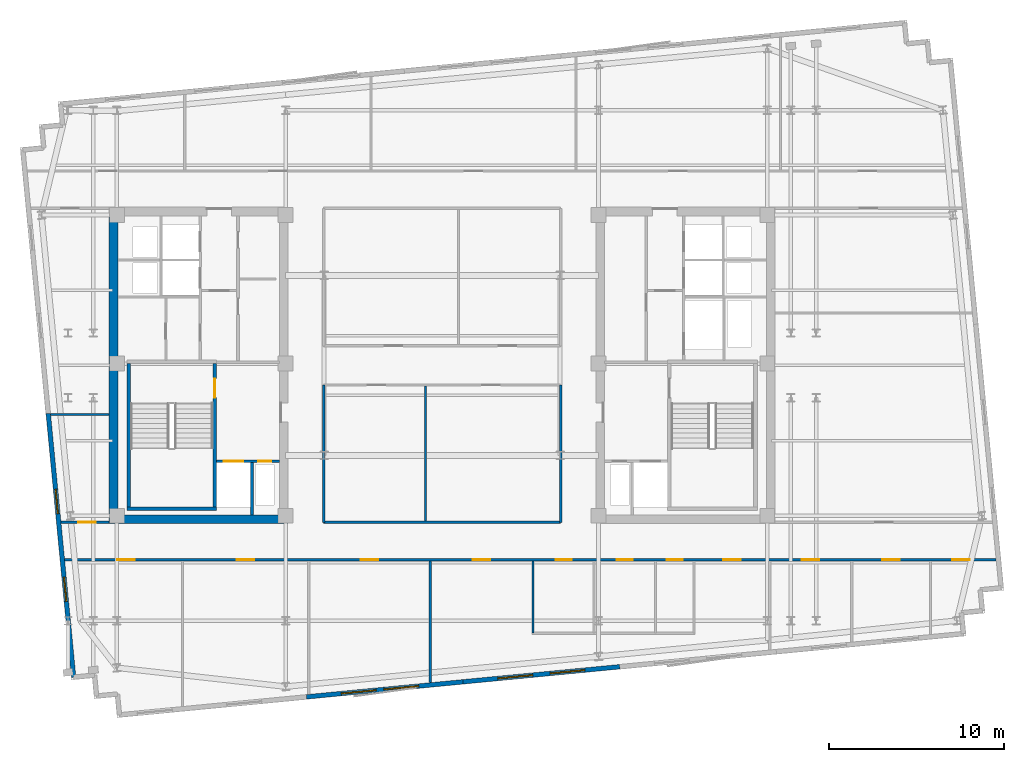
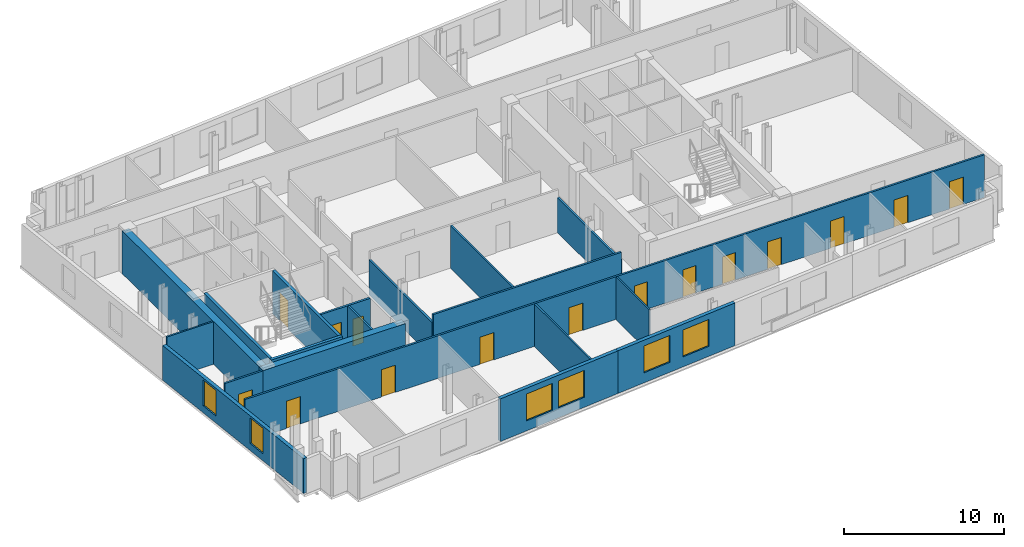
# One storey, part 3 of 9: 19 walls, 15 doors, 6 windows, 21 openings.
"""IFC4 building model written with IfcOpenShell, lengths in metres."""

from ifc_helpers import new_model, si_unit, direction, frame, frame_2d, origin, place, context, subcontext, project, spatial, rectangle, extrude, material, layer, layer_set, type_object, element, fill, save


model = new_model("IFC4")

# Units and contexts
model_context = context("Model", 3, precision=1e-05, world=origin(), true_north=direction((0.0, 1.0)))
body_context = subcontext(model_context, "Body", "Model", "MODEL_VIEW")
ifc_project = project(units=[si_unit("LENGTHUNIT", "METRE"), si_unit("AREAUNIT", "SQUARE_METRE"), si_unit("VOLUMEUNIT", "CUBIC_METRE"), si_unit("PLANEANGLEUNIT", "RADIAN"), si_unit("MASSUNIT", "GRAM", prefix="KILO")], contexts=[model_context])

# Site, building, storey
site_placement = place(None, origin())
site = spatial("IfcSite", under=ifc_project, at=site_placement, CompositionType="ELEMENT")
building_placement = place(site_placement, origin())
building = spatial("IfcBuilding", under=site, at=building_placement, Name="Velakula Bourse", CompositionType="ELEMENT")
storey_placement = place(building_placement, frame((0.0, 0.0, 268.949951171875)))
storey = spatial("IfcBuildingStorey", under=building, at=storey_placement, Name="L73", CompositionType="ELEMENT", Elevation=268.949951171875)

# Wall, opening, door
ifc_material_1 = material(Name="Concrete M50 (fck 50 MPa)", Category="concrete")
ifc_layer_1 = layer(ifc_material_1, 0.2099609375, Name="Concrete M50 (fck 50 MPa)", Category="concrete")
ifc_layer_set_1 = layer_set([ifc_layer_1], Name="Concrete M50 (fck 50 MPa)")
wall_type_1 = type_object("IfcWallType", Name="WL-CORE-210", PredefinedType="SHEAR", material=ifc_layer_set_1)
wall_1_placement = place(storey_placement, frame((-12.9951171875, -8.10009765625, 0.0), z_axis=(0.0, 0.0, 1.0), x_axis=(0.0, 1.0, 0.0)))
wall_1 = element("IfcWall", 1, at=wall_1_placement, inside=storey, type_object=wall_type_1, Name="L73 Core W Stairwell Shear Wall IN", PredefinedType="SHEAR", context=body_context, shape_type="SweptSolid", body=[
    extrude(rectangle(XDim=8.2001953125, YDim=0.2099609375, at=frame_2d((4.10009765625, 0.0))), origin(), (0.0, 0.0, 1.0), 3.27001953125),
])
opening_1_placement = place(wall_1_placement, frame((6.25, 0.0, 0.0)))
opening_1 = element("IfcOpeningElement", 2, at=opening_1_placement, cuts=wall_1, Name="Opening D-STW1", PredefinedType="OPENING", context=body_context, shape_type="SweptSolid", body=[
    extrude(rectangle(XDim=1.10009765625, YDim=2.14990234375, at=frame_2d((0.550048828125, 1.074951171875))), frame((0.0, 0.114990234375, 0.0), z_axis=(0.0, -1.0, 0.0), x_axis=(1.0, 0.0, 0.0)), (0.0, 0.0, 1.0), 0.22998046875),
])
ifc_material_2 = material(Name="Galvanised painted hollow steel fire door", Category="steel")
door_type_1 = type_object("IfcDoorType", Name="DR-FD120-1100x2150", OperationType="NOTDEFINED", PredefinedType="DOOR", material=ifc_material_2)
door_1_placement = place(opening_1_placement, origin())
door_1 = element("IfcDoor", 3, at=door_1_placement, inside=storey, type_object=door_type_1, Name="L73 Stair ST-W1 Fire Door", OperationType="SINGLE_SWING_LEFT", OverallHeight=2.14990234375, OverallWidth=1.10009765625, PredefinedType="DOOR", context=body_context, shape_type="SweptSolid", body=[
    extrude(rectangle(XDim=1.10009765625, YDim=2.14990234375, at=frame_2d((0.550048828125, 1.074951171875))), frame((0.0, 0.02490234375, 0.0), z_axis=(0.0, -1.0, 0.0), x_axis=(1.0, 0.0, 0.0)), (0.0, 0.0, 1.0), 0.050048828125),
])
fill(opening_1, door_1)

# Walls
wall_2_placement = place(storey_placement, frame((-17.925048828125, -8.10009765625, 0.0), z_axis=(0.0, 0.0, 1.0), x_axis=(0.0, 1.0, 0.0)))
element("IfcWall", 4, at=wall_2_placement, inside=storey, type_object=wall_type_1, Name="L73 Core W Stairwell Shear Wall OUT", PredefinedType="SHEAR", context=body_context, shape_type="SweptSolid", body=[
    extrude(rectangle(XDim=8.2001953125, YDim=0.2099609375, at=frame_2d((4.10009765625, 0.0))), origin(), (0.0, 0.0, 1.0), 3.27001953125),
])
wall_3_placement = place(storey_placement, frame((-18.030029296875, -8.205078125, 0.0), z_axis=(0.0, 0.0, 1.0), x_axis=(1.0, 0.0, 0.0)))
element("IfcWall", 5, at=wall_3_placement, inside=storey, type_object=wall_type_1, Name="L73 Core W Stairwell Shear Wall S", PredefinedType="SHEAR", context=body_context, shape_type="SweptSolid", body=[
    extrude(rectangle(XDim=5.14013671875, YDim=0.2099609375, at=frame_2d((2.570068359375, 0.0))), origin(), (0.0, 0.0, 1.0), 3.27001953125),
])
ifc_layer_2 = layer(ifc_material_1, 0.5, Name="Concrete M50 (fck 50 MPa)", Category="concrete")
ifc_layer_set_2 = layer_set([ifc_layer_2], Name="Concrete M50 (fck 50 MPa)")
wall_type_2 = type_object("IfcWallType", Name="WL-CORE-500", PredefinedType="SHEAR", material=ifc_layer_set_2)
wall_4_placement = place(storey_placement, frame((-19.050048828125, -8.800048828125, 0.0), z_axis=(0.0, 0.0, 1.0), x_axis=(1.0, 0.0, 0.0)))
element("IfcWall", 6, at=wall_4_placement, inside=storey, type_object=wall_type_2, Name="L73 Core W Shear Wall S", PredefinedType="SHEAR", context=body_context, shape_type="SweptSolid", body=[
    extrude(rectangle(XDim=10.25, YDim=0.5, at=frame_2d((5.125, 0.0))), origin(), (0.0, 0.0, 1.0), 3.27001953125),
])
wall_5_placement = place(storey_placement, frame((-18.800048828125, -8.550048828125, 0.0), z_axis=(0.0, 0.0, 1.0), x_axis=(0.0, 1.0, 0.0)))
element("IfcWall", 7, at=wall_5_placement, inside=storey, type_object=wall_type_2, Name="L73 Core W Shear Wall W", PredefinedType="SHEAR", context=body_context, shape_type="SweptSolid", body=[
    extrude(rectangle(XDim=17.10009765625, YDim=0.5, at=frame_2d((8.550048828125, 0.0))), origin(), (0.0, 0.0, 1.0), 3.27001953125),
])

# Wall, openings, windows
ifc_material_3 = material(Name="Buff kilned clay facing brick masonry", Category="masonry")
ifc_layer_3 = layer(ifc_material_3, 0.260009765625, Name="Buff kilned clay facing brick masonry", Category="masonry")
ifc_layer_set_3 = layer_set([ifc_layer_3], Name="Buff kilned clay facing brick masonry")
wall_type_3 = type_object("IfcWallType", Name="WL-EXT-BRK-260", PredefinedType="STANDARD", material=ifc_layer_set_3)
wall_6_placement = place(storey_placement, frame((1.202880859375, -18.1005859375, 0.0), z_axis=(0.0, 0.0, 1.0), x_axis=(-0.995397043619, -0.095836973841, 0.0)))
wall_6 = element("IfcWall", 8, at=wall_6_placement, inside=storey, type_object=wall_type_3, Name="L73 S Brick Spandrel Wall B2", PredefinedType="STANDARD", context=body_context, shape_type="SweptSolid", body=[
    extrude(rectangle(XDim=9.000244140625, YDim=0.260009765625, at=frame_2d((4.5, 0.0))), origin(), (0.0, 0.0, 1.0), 3.25),
])
opening_2_placement = place(wall_6_placement, frame((2.550048828125, 0.0, 0.760009765625)))
opening_2 = element("IfcOpeningElement", 9, at=opening_2_placement, cuts=wall_6, Name="Opening W-05", PredefinedType="OPENING", context=body_context, shape_type="SweptSolid", body=[
    extrude(rectangle(XDim=2.0, YDim=2.050048828125, at=frame_2d((1.0, 1.02490234375))), frame((0.0, 0.139892578125, 0.0), z_axis=(0.0, -1.0, 0.0), x_axis=(1.0, 0.0, 0.0)), (0.0, 0.0, 1.0), 0.280029296875),
])
opening_3_placement = place(wall_6_placement, frame((5.0, 0.0, 0.760009765625)))
opening_3 = element("IfcOpeningElement", 10, at=opening_3_placement, cuts=wall_6, Name="Opening W-05", PredefinedType="OPENING", context=body_context, shape_type="SweptSolid", body=[
    extrude(rectangle(XDim=2.0, YDim=2.050048828125, at=frame_2d((1.0, 1.02490234375))), frame((0.0, 0.139892578125, 0.0), z_axis=(0.0, -1.0, 0.0), x_axis=(1.0, 0.0, 0.0)), (0.0, 0.0, 1.0), 0.280029296875),
])
ifc_material_4 = material(Name="Double-glazed solar-control Low-E glass", Category="glass")
window_type_1 = type_object("IfcWindowType", Name="WIN-TWR-2000x2200", PartitioningType="DOUBLE_PANEL_VERTICAL", PredefinedType="WINDOW", material=ifc_material_4)
window_1_placement = place(opening_2_placement, origin())
window_1 = element("IfcWindow", 11, at=window_1_placement, inside=storey, type_object=window_type_1, Name="L73 Deep-Set Recessed Window 1", OverallHeight=2.050048828125, OverallWidth=2.0, PartitioningType="DOUBLE_PANEL_VERTICAL", PredefinedType="WINDOW", context=body_context, shape_type="SweptSolid", body=[
    extrude(rectangle(XDim=2.0, YDim=2.050048828125, at=frame_2d((1.0, 1.02490234375))), frame((0.0, 0.030029296875, 0.0), z_axis=(0.0, -1.0, 0.0), x_axis=(1.0, 0.0, 0.0)), (0.0, 0.0, 1.0), 0.06005859375),
])
fill(opening_2, window_1)
window_2_placement = place(opening_3_placement, origin())
window_2 = element("IfcWindow", 12, at=window_2_placement, inside=storey, type_object=window_type_1, Name="L73 Deep-Set Recessed Window 2", OverallHeight=2.050048828125, OverallWidth=2.0, PartitioningType="DOUBLE_PANEL_VERTICAL", PredefinedType="WINDOW", context=body_context, shape_type="SweptSolid", body=[
    extrude(rectangle(XDim=2.0, YDim=2.050048828125, at=frame_2d((1.0, 1.02490234375))), frame((0.0, 0.030029296875, 0.0), z_axis=(0.0, -1.0, 0.0), x_axis=(1.0, 0.0, 0.0)), (0.0, 0.0, 1.0), 0.06005859375),
])
fill(opening_3, window_2)

wall_7_placement = place(storey_placement, frame((10.161376953125, -17.23779296875, 0.0), z_axis=(0.0, 0.0, 1.0), x_axis=(-0.995394206237, -0.095866439332, 0.0)))
wall_7 = element("IfcWall", 13, at=wall_7_placement, inside=storey, type_object=wall_type_3, Name="L73 S Brick Spandrel Wall B3", PredefinedType="STANDARD", context=body_context, shape_type="SweptSolid", body=[
    extrude(rectangle(XDim=9.0, YDim=0.260009765625, at=frame_2d((4.5, 0.0))), origin(), (0.0, 0.0, 1.0), 3.25),
])
opening_4_placement = place(wall_7_placement, frame((2.0, 0.0, 0.760009765625)))
opening_4 = element("IfcOpeningElement", 14, at=opening_4_placement, cuts=wall_7, Name="Opening W-05", PredefinedType="OPENING", context=body_context, shape_type="SweptSolid", body=[
    extrude(rectangle(XDim=2.0, YDim=2.050048828125, at=frame_2d((1.0, 1.02490234375))), frame((0.0, 0.139892578125, 0.0), z_axis=(0.0, -1.0, 0.0), x_axis=(1.0, 0.0, 0.0)), (0.0, 0.0, 1.0), 0.280029296875),
])
opening_5_placement = place(wall_7_placement, frame((5.0, 0.0, 0.760009765625)))
opening_5 = element("IfcOpeningElement", 15, at=opening_5_placement, cuts=wall_7, Name="Opening W-05", PredefinedType="OPENING", context=body_context, shape_type="SweptSolid", body=[
    extrude(rectangle(XDim=2.0, YDim=2.050048828125, at=frame_2d((1.0, 1.02490234375))), frame((0.0, 0.139892578125, 0.0), z_axis=(0.0, -1.0, 0.0), x_axis=(1.0, 0.0, 0.0)), (0.0, 0.0, 1.0), 0.280029296875),
])
window_3_placement = place(opening_4_placement, origin())
window_3 = element("IfcWindow", 16, at=window_3_placement, inside=storey, type_object=window_type_1, Name="L73 Deep-Set Recessed Window 1", OverallHeight=2.050048828125, OverallWidth=2.0, PartitioningType="DOUBLE_PANEL_VERTICAL", PredefinedType="WINDOW", context=body_context, shape_type="SweptSolid", body=[
    extrude(rectangle(XDim=2.0, YDim=2.050048828125, at=frame_2d((1.0, 1.02490234375))), frame((0.0, 0.030029296875, 0.0), z_axis=(0.0, -1.0, 0.0), x_axis=(1.0, 0.0, 0.0)), (0.0, 0.0, 1.0), 0.06005859375),
])
fill(opening_4, window_3)
window_4_placement = place(opening_5_placement, origin())
window_4 = element("IfcWindow", 17, at=window_4_placement, inside=storey, type_object=window_type_1, Name="L73 Deep-Set Recessed Window 2", OverallHeight=2.050048828125, OverallWidth=2.0, PartitioningType="DOUBLE_PANEL_VERTICAL", PredefinedType="WINDOW", context=body_context, shape_type="SweptSolid", body=[
    extrude(rectangle(XDim=2.0, YDim=2.050048828125, at=frame_2d((1.0, 1.02490234375))), frame((0.0, 0.030029296875, 0.0), z_axis=(0.0, -1.0, 0.0), x_axis=(1.0, 0.0, 0.0)), (0.0, 0.0, 1.0), 0.06005859375),
])
fill(opening_5, window_4)

wall_8_placement = place(storey_placement, frame((-21.0751953125, -17.83447265625, 0.0), z_axis=(0.0, 0.0, 1.0), x_axis=(-0.095852427869, 0.995395555582, 0.0)))
wall_8 = element("IfcWall", 18, at=wall_8_placement, inside=storey, type_object=wall_type_3, Name="L73 W Brick End Wall W1", PredefinedType="STANDARD", context=body_context, shape_type="SweptSolid", body=[
    extrude(rectangle(XDim=15.14990234375, YDim=0.260009765625, at=frame_2d((7.574951171875, 0.0))), origin(), (0.0, 0.0, 1.0), 2.64501953125),
])
opening_6_placement = place(wall_8_placement, frame((4.35009765625, 0.0, 0.534912109375)))
opening_6 = element("IfcOpeningElement", 19, at=opening_6_placement, cuts=wall_8, Name="Opening W-03", PredefinedType="OPENING", context=body_context, shape_type="SweptSolid", body=[
    extrude(rectangle(XDim=1.39990234375, YDim=1.949951171875, at=frame_2d((0.699951171875, 0.97509765625))), frame((0.0, 0.139892578125, 0.0), z_axis=(0.0, -1.0, 0.0), x_axis=(1.0, 0.0, 0.0)), (0.0, 0.0, 1.0), 0.280029296875),
])
opening_7_placement = place(wall_8_placement, frame((9.39990234375, 0.0, 0.534912109375)))
opening_7 = element("IfcOpeningElement", 20, at=opening_7_placement, cuts=wall_8, Name="Opening W-03", PredefinedType="OPENING", context=body_context, shape_type="SweptSolid", body=[
    extrude(rectangle(XDim=1.39990234375, YDim=1.949951171875, at=frame_2d((0.699951171875, 0.97509765625))), frame((0.0, 0.139892578125, 0.0), z_axis=(0.0, -1.0, 0.0), x_axis=(1.0, 0.0, 0.0)), (0.0, 0.0, 1.0), 0.280029296875),
])
window_type_2 = type_object("IfcWindowType", Name="WIN-TWR-1400x2100", PartitioningType="SINGLE_PANEL", PredefinedType="WINDOW", material=ifc_material_4)
window_5_placement = place(opening_6_placement, origin())
window_5 = element("IfcWindow", 21, at=window_5_placement, inside=storey, type_object=window_type_2, Name="L73 Deep-Set Recessed Window 1", OverallHeight=1.949951171875, OverallWidth=1.39990234375, PartitioningType="SINGLE_PANEL", PredefinedType="WINDOW", context=body_context, shape_type="SweptSolid", body=[
    extrude(rectangle(XDim=1.39990234375, YDim=1.949951171875, at=frame_2d((0.699951171875, 0.97509765625))), frame((0.0, 0.030029296875, 0.0), z_axis=(0.0, -1.0, 0.0), x_axis=(1.0, 0.0, 0.0)), (0.0, 0.0, 1.0), 0.06005859375),
])
fill(opening_6, window_5)
window_6_placement = place(opening_7_placement, origin())
window_6 = element("IfcWindow", 22, at=window_6_placement, inside=storey, type_object=window_type_2, Name="L73 Deep-Set Recessed Window 2", OverallHeight=1.949951171875, OverallWidth=1.39990234375, PartitioningType="SINGLE_PANEL", PredefinedType="WINDOW", context=body_context, shape_type="SweptSolid", body=[
    extrude(rectangle(XDim=1.39990234375, YDim=1.949951171875, at=frame_2d((0.699951171875, 0.97509765625))), frame((0.0, 0.030029296875, 0.0), z_axis=(0.0, -1.0, 0.0), x_axis=(1.0, 0.0, 0.0)), (0.0, 0.0, 1.0), 0.06005859375),
])
fill(opening_7, window_6)

# Walls
ifc_material_5 = material(Name="Fire-rated double-layer gypsum drywall partition", Category="gypsum")
ifc_layer_4 = layer(ifc_material_5, 0.1201171875, Name="Fire-rated double-layer gypsum drywall partition", Category="gypsum")
ifc_layer_set_4 = layer_set([ifc_layer_4], Name="Fire-rated double-layer gypsum drywall partition")
wall_type_4 = type_object("IfcWallType", Name="WL-PART-120", PredefinedType="STANDARD", material=ifc_layer_set_4)
wall_9_placement = place(storey_placement, frame((5.199951171875, -15.320068359375, 0.0), z_axis=(0.0, 0.0, 1.0), x_axis=(0.0, 1.0, 0.0)))
element("IfcWall", 23, at=wall_9_placement, inside=storey, type_object=wall_type_4, Name="L73 Interior Partition WL-WC-L73-V1", PredefinedType="STANDARD", context=body_context, shape_type="SweptSolid", body=[
    extrude(rectangle(XDim=4.130126953125, YDim=0.1201171875, at=frame_2d((2.06494140625, 0.0))), origin(), (0.0, 0.0, 1.0), 3.25),
])
wall_10_placement = place(storey_placement, frame((-0.678955078125, -18.151123046875, 0.0), z_axis=(0.0, 0.0, 1.0), x_axis=(0.0, 1.0, 0.0)))
element("IfcWall", 24, at=wall_10_placement, inside=storey, type_object=wall_type_4, Name="L73 Interior Partition WL-INT-L73-SL-D7", PredefinedType="STANDARD", context=body_context, shape_type="SweptSolid", body=[
    extrude(rectangle(XDim=6.961181640625, YDim=0.1201171875, at=frame_2d((3.48046875, 0.0))), origin(), (0.0, 0.0, 1.0), 3.25),
])
wall_11_placement = place(storey_placement, frame((-22.392333984375, -2.800048828125, 0.0), z_axis=(0.0, 0.0, 1.0), x_axis=(1.0, 0.0, 0.0)))
element("IfcWall", 25, at=wall_11_placement, inside=storey, type_object=wall_type_4, Name="L73 Interior Partition WL-INT-L73-W-H", PredefinedType="STANDARD", context=body_context, shape_type="SweptSolid", body=[
    extrude(rectangle(XDim=3.34228515625, YDim=0.1201171875, at=frame_2d((1.671142578125, 0.0))), origin(), (0.0, 0.0, 1.0), 3.25),
])

# Wall, openings, doors
ifc_layer_5 = layer(ifc_material_5, 0.139892578125, Name="Fire-rated double-layer gypsum drywall partition", Category="gypsum")
ifc_layer_set_5 = layer_set([ifc_layer_5], Name="Fire-rated double-layer gypsum drywall partition")
wall_type_5 = type_object("IfcWallType", Name="WL-PART-140", PredefinedType="STANDARD", material=ifc_layer_set_5)
wall_12_placement = place(storey_placement, frame((-21.59130859375, -11.1201171875, 0.0), z_axis=(0.0, 0.0, 1.0), x_axis=(1.0, 0.0, 0.0)))
wall_12 = element("IfcWall", 26, at=wall_12_placement, inside=storey, type_object=wall_type_5, Name="L73 Interior Partition WL-INT-L73-S-CORR", PredefinedType="STANDARD", context=body_context, shape_type="SweptSolid", body=[
    extrude(rectangle(XDim=53.285400390625, YDim=0.139892578125, at=frame_2d((26.642578125, 0.0))), origin(), (0.0, 0.0, 1.0), 3.25),
])
opening_8_placement = place(wall_12_placement, frame((28.081298828125, 0.0, 0.0)))
opening_8 = element("IfcOpeningElement", 27, at=opening_8_placement, cuts=wall_12, Name="Opening D-WT1", PredefinedType="OPENING", context=body_context, shape_type="SweptSolid", body=[
    extrude(rectangle(XDim=0.919921875, YDim=2.080078125, at=frame_2d((0.4599609375, 1.0400390625))), frame((0.0, 0.079833984375, 0.0), z_axis=(0.0, -1.0, 0.0), x_axis=(1.0, 0.0, 0.0)), (0.0, 0.0, 1.0), 0.159912109375),
])
opening_9_placement = place(wall_12_placement, frame((31.581298828125, 0.0, 0.0)))
opening_9 = element("IfcOpeningElement", 28, at=opening_9_placement, cuts=wall_12, Name="Opening D-WT1", PredefinedType="OPENING", context=body_context, shape_type="SweptSolid", body=[
    extrude(rectangle(XDim=0.919921875, YDim=2.080078125, at=frame_2d((0.4599609375, 1.0400390625))), frame((0.0, 0.079833984375, 0.0), z_axis=(0.0, -1.0, 0.0), x_axis=(1.0, 0.0, 0.0)), (0.0, 0.0, 1.0), 0.159912109375),
])
opening_10_placement = place(wall_12_placement, frame((34.43115234375, 0.0, 0.0)))
opening_10 = element("IfcOpeningElement", 29, at=opening_10_placement, cuts=wall_12, Name="Opening D-WC1", PredefinedType="OPENING", context=body_context, shape_type="SweptSolid", body=[
    extrude(rectangle(XDim=0.919921875, YDim=2.080078125, at=frame_2d((0.4599609375, 1.0400390625))), frame((0.0, 0.079833984375, 0.0), z_axis=(0.0, -1.0, 0.0), x_axis=(1.0, 0.0, 0.0)), (0.0, 0.0, 1.0), 0.159912109375),
])
opening_11_placement = place(wall_12_placement, frame((3.0, 0.0, 0.0)))
opening_11 = element("IfcOpeningElement", 30, at=opening_11_placement, cuts=wall_12, Name="Opening D-OF1", PredefinedType="OPENING", context=body_context, shape_type="SweptSolid", body=[
    extrude(rectangle(XDim=1.0, YDim=2.080078125, at=frame_2d((0.5, 1.0400390625))), frame((0.0, 0.079833984375, 0.0), z_axis=(0.0, -1.0, 0.0), x_axis=(1.0, 0.0, 0.0)), (0.0, 0.0, 1.0), 0.159912109375),
])
opening_12_placement = place(wall_12_placement, frame((9.855712890625, 0.0, 0.0)))
opening_12 = element("IfcOpeningElement", 31, at=opening_12_placement, cuts=wall_12, Name="Opening D-OF1", PredefinedType="OPENING", context=body_context, shape_type="SweptSolid", body=[
    extrude(rectangle(XDim=1.0, YDim=2.080078125, at=frame_2d((0.5, 1.0400390625))), frame((0.0, 0.079833984375, 0.0), z_axis=(0.0, -1.0, 0.0), x_axis=(1.0, 0.0, 0.0)), (0.0, 0.0, 1.0), 0.159912109375),
])
opening_13_placement = place(wall_12_placement, frame((16.937744140625, 0.0, 0.0)))
opening_13 = element("IfcOpeningElement", 32, at=opening_13_placement, cuts=wall_12, Name="Opening D-OF1", PredefinedType="OPENING", context=body_context, shape_type="SweptSolid", body=[
    extrude(rectangle(XDim=1.0, YDim=2.080078125, at=frame_2d((0.5, 1.0400390625))), frame((0.0, 0.079833984375, 0.0), z_axis=(0.0, -1.0, 0.0), x_axis=(1.0, 0.0, 0.0)), (0.0, 0.0, 1.0), 0.159912109375),
])
opening_14_placement = place(wall_12_placement, frame((23.351806640625, 0.0, 0.0)))
opening_14 = element("IfcOpeningElement", 33, at=opening_14_placement, cuts=wall_12, Name="Opening D-OF1", PredefinedType="OPENING", context=body_context, shape_type="SweptSolid", body=[
    extrude(rectangle(XDim=1.0, YDim=2.080078125, at=frame_2d((0.5, 1.0400390625))), frame((0.0, 0.079833984375, 0.0), z_axis=(0.0, -1.0, 0.0), x_axis=(1.0, 0.0, 0.0)), (0.0, 0.0, 1.0), 0.159912109375),
])
opening_15_placement = place(wall_12_placement, frame((37.66259765625, 0.0, 0.0)))
opening_15 = element("IfcOpeningElement", 34, at=opening_15_placement, cuts=wall_12, Name="Opening D-OF1", PredefinedType="OPENING", context=body_context, shape_type="SweptSolid", body=[
    extrude(rectangle(XDim=1.0, YDim=2.080078125, at=frame_2d((0.5, 1.0400390625))), frame((0.0, 0.079833984375, 0.0), z_axis=(0.0, -1.0, 0.0), x_axis=(1.0, 0.0, 0.0)), (0.0, 0.0, 1.0), 0.159912109375),
])
opening_16_placement = place(wall_12_placement, frame((42.17919921875, 0.0, 0.0)))
opening_16 = element("IfcOpeningElement", 35, at=opening_16_placement, cuts=wall_12, Name="Opening D-OF1", PredefinedType="OPENING", context=body_context, shape_type="SweptSolid", body=[
    extrude(rectangle(XDim=1.0, YDim=2.080078125, at=frame_2d((0.5, 1.0400390625))), frame((0.0, 0.079833984375, 0.0), z_axis=(0.0, -1.0, 0.0), x_axis=(1.0, 0.0, 0.0)), (0.0, 0.0, 1.0), 0.159912109375),
])
opening_17_placement = place(wall_12_placement, frame((46.78271484375, 0.0, 0.0)))
opening_17 = element("IfcOpeningElement", 36, at=opening_17_placement, cuts=wall_12, Name="Opening D-OF1", PredefinedType="OPENING", context=body_context, shape_type="SweptSolid", body=[
    extrude(rectangle(XDim=1.0, YDim=2.080078125, at=frame_2d((0.5, 1.0400390625))), frame((0.0, 0.079833984375, 0.0), z_axis=(0.0, -1.0, 0.0), x_axis=(1.0, 0.0, 0.0)), (0.0, 0.0, 1.0), 0.159912109375),
])
opening_18_placement = place(wall_12_placement, frame((50.787109375, 0.0, 0.0)))
opening_18 = element("IfcOpeningElement", 37, at=opening_18_placement, cuts=wall_12, Name="Opening D-OF1", PredefinedType="OPENING", context=body_context, shape_type="SweptSolid", body=[
    extrude(rectangle(XDim=1.0, YDim=2.080078125, at=frame_2d((0.5, 1.0400390625))), frame((0.0, 0.079833984375, 0.0), z_axis=(0.0, -1.0, 0.0), x_axis=(1.0, 0.0, 0.0)), (0.0, 0.0, 1.0), 0.159912109375),
])
ifc_material_6 = material(Name="Fire-rated hardwood flush architectural door", Category="wood")
door_type_2 = type_object("IfcDoorType", Name="DR-OFF-1000", OperationType="NOTDEFINED", PredefinedType="DOOR", material=ifc_material_6)
door_2_placement = place(opening_11_placement, origin())
door_2 = element("IfcDoor", 38, at=door_2_placement, inside=storey, type_object=door_type_2, Name="L73 Members Dining Lounge Door", OperationType="SINGLE_SWING_LEFT", OverallHeight=2.080078125, OverallWidth=1.0, PredefinedType="DOOR", context=body_context, shape_type="SweptSolid", body=[
    extrude(rectangle(XDim=1.0, YDim=2.080078125, at=frame_2d((0.5, 1.0400390625))), frame((0.0, 0.02490234375, 0.0), z_axis=(0.0, -1.0, 0.0), x_axis=(1.0, 0.0, 0.0)), (0.0, 0.0, 1.0), 0.050048828125),
])
fill(opening_11, door_2)
door_3_placement = place(opening_12_placement, origin())
door_3 = element("IfcDoor", 39, at=door_3_placement, inside=storey, type_object=door_type_2, Name="L73 Asset Allocation Office Door", OperationType="SINGLE_SWING_RIGHT", OverallHeight=2.080078125, OverallWidth=1.0, PredefinedType="DOOR", context=body_context, shape_type="SweptSolid", body=[
    extrude(rectangle(XDim=1.0, YDim=2.080078125, at=frame_2d((0.5, 1.0400390625))), frame((0.0, 0.02490234375, 0.0), z_axis=(0.0, -1.0, 0.0), x_axis=(1.0, 0.0, 0.0)), (0.0, 0.0, 1.0), 0.050048828125),
])
fill(opening_12, door_3)
door_4_placement = place(opening_13_placement, origin())
door_4 = element("IfcDoor", 40, at=door_4_placement, inside=storey, type_object=door_type_2, Name="L73 Listing Committee Chamber Door", OperationType="SINGLE_SWING_LEFT", OverallHeight=2.080078125, OverallWidth=1.0, PredefinedType="DOOR", context=body_context, shape_type="SweptSolid", body=[
    extrude(rectangle(XDim=1.0, YDim=2.080078125, at=frame_2d((0.5, 1.0400390625))), frame((0.0, 0.02490234375, 0.0), z_axis=(0.0, -1.0, 0.0), x_axis=(1.0, 0.0, 0.0)), (0.0, 0.0, 1.0), 0.050048828125),
])
fill(opening_13, door_4)
door_5_placement = place(opening_14_placement, origin())
door_5 = element("IfcDoor", 41, at=door_5_placement, inside=storey, type_object=door_type_2, Name="L73 Traders Pantry Door", OperationType="SINGLE_SWING_RIGHT", OverallHeight=2.080078125, OverallWidth=1.0, PredefinedType="DOOR", context=body_context, shape_type="SweptSolid", body=[
    extrude(rectangle(XDim=1.0, YDim=2.080078125, at=frame_2d((0.5, 1.0400390625))), frame((0.0, 0.02490234375, 0.0), z_axis=(0.0, -1.0, 0.0), x_axis=(1.0, 0.0, 0.0)), (0.0, 0.0, 1.0), 0.050048828125),
])
fill(opening_14, door_5)
door_6_placement = place(opening_15_placement, origin())
door_6 = element("IfcDoor", 42, at=door_6_placement, inside=storey, type_object=door_type_2, Name="L73 Prime-Brokerage Dealing Workspace Door", OperationType="SINGLE_SWING_LEFT", OverallHeight=2.080078125, OverallWidth=1.0, PredefinedType="DOOR", context=body_context, shape_type="SweptSolid", body=[
    extrude(rectangle(XDim=1.0, YDim=2.080078125, at=frame_2d((0.5, 1.0400390625))), frame((0.0, 0.02490234375, 0.0), z_axis=(0.0, -1.0, 0.0), x_axis=(1.0, 0.0, 0.0)), (0.0, 0.0, 1.0), 0.050048828125),
])
fill(opening_15, door_6)
door_7_placement = place(opening_16_placement, origin())
door_7 = element("IfcDoor", 43, at=door_7_placement, inside=storey, type_object=door_type_2, Name="L73 Company Secretary Office Door", OperationType="SINGLE_SWING_RIGHT", OverallHeight=2.080078125, OverallWidth=1.0, PredefinedType="DOOR", context=body_context, shape_type="SweptSolid", body=[
    extrude(rectangle(XDim=1.0, YDim=2.080078125, at=frame_2d((0.5, 1.0400390625))), frame((0.0, 0.02490234375, 0.0), z_axis=(0.0, -1.0, 0.0), x_axis=(1.0, 0.0, 0.0)), (0.0, 0.0, 1.0), 0.050048828125),
])
fill(opening_16, door_7)
door_8_placement = place(opening_17_placement, origin())
door_8 = element("IfcDoor", 44, at=door_8_placement, inside=storey, type_object=door_type_2, Name="L73 Members Dining Lounge Door", OperationType="SINGLE_SWING_LEFT", OverallHeight=2.080078125, OverallWidth=1.0, PredefinedType="DOOR", context=body_context, shape_type="SweptSolid", body=[
    extrude(rectangle(XDim=1.0, YDim=2.080078125, at=frame_2d((0.5, 1.0400390625))), frame((0.0, 0.02490234375, 0.0), z_axis=(0.0, -1.0, 0.0), x_axis=(1.0, 0.0, 0.0)), (0.0, 0.0, 1.0), 0.050048828125),
])
fill(opening_17, door_8)
door_9_placement = place(opening_18_placement, origin())
door_9 = element("IfcDoor", 45, at=door_9_placement, inside=storey, type_object=door_type_2, Name="L73 Asset Allocation Office Door", OperationType="SINGLE_SWING_RIGHT", OverallHeight=2.080078125, OverallWidth=1.0, PredefinedType="DOOR", context=body_context, shape_type="SweptSolid", body=[
    extrude(rectangle(XDim=1.0, YDim=2.080078125, at=frame_2d((0.5, 1.0400390625))), frame((0.0, 0.02490234375, 0.0), z_axis=(0.0, -1.0, 0.0), x_axis=(1.0, 0.0, 0.0)), (0.0, 0.0, 1.0), 0.050048828125),
])
fill(opening_18, door_9)
door_type_3 = type_object("IfcDoorType", Name="DR-WC-950", OperationType="NOTDEFINED", PredefinedType="DOOR", material=ifc_material_6)
door_10_placement = place(opening_8_placement, origin())
door_10 = element("IfcDoor", 46, at=door_10_placement, inside=storey, type_object=door_type_3, Name="L73 Male Staff Toilet Door", OperationType="SINGLE_SWING_RIGHT", OverallHeight=2.080078125, OverallWidth=0.919921875, PredefinedType="DOOR", context=body_context, shape_type="SweptSolid", body=[
    extrude(rectangle(XDim=0.919921875, YDim=2.080078125, at=frame_2d((0.4599609375, 1.0400390625))), frame((0.0, 0.02490234375, 0.0), z_axis=(0.0, -1.0, 0.0), x_axis=(1.0, 0.0, 0.0)), (0.0, 0.0, 1.0), 0.050048828125),
])
fill(opening_8, door_10)
door_11_placement = place(opening_9_placement, origin())
door_11 = element("IfcDoor", 47, at=door_11_placement, inside=storey, type_object=door_type_3, Name="L73 Female Staff Toilet Door", OperationType="SINGLE_SWING_LEFT", OverallHeight=2.080078125, OverallWidth=0.919921875, PredefinedType="DOOR", context=body_context, shape_type="SweptSolid", body=[
    extrude(rectangle(XDim=0.919921875, YDim=2.080078125, at=frame_2d((0.4599609375, 1.0400390625))), frame((0.0, 0.02490234375, 0.0), z_axis=(0.0, -1.0, 0.0), x_axis=(1.0, 0.0, 0.0)), (0.0, 0.0, 1.0), 0.050048828125),
])
fill(opening_9, door_11)
door_12_placement = place(opening_10_placement, origin())
door_12 = element("IfcDoor", 48, at=door_12_placement, inside=storey, type_object=door_type_3, Name="L73 Accessible WC Door", OperationType="SINGLE_SWING_RIGHT", OverallHeight=2.080078125, OverallWidth=0.919921875, PredefinedType="DOOR", context=body_context, shape_type="SweptSolid", body=[
    extrude(rectangle(XDim=0.919921875, YDim=2.080078125, at=frame_2d((0.4599609375, 1.0400390625))), frame((0.0, 0.02490234375, 0.0), z_axis=(0.0, -1.0, 0.0), x_axis=(1.0, 0.0, 0.0)), (0.0, 0.0, 1.0), 0.050048828125),
])
fill(opening_10, door_12)

# Wall, opening, door
wall_13_placement = place(storey_placement, frame((-21.797119140625, -8.97998046875, 0.0), z_axis=(0.0, 0.0, 1.0), x_axis=(1.0, 0.0, 0.0)))
wall_13 = element("IfcWall", 49, at=wall_13_placement, inside=storey, type_object=wall_type_5, Name="L73 Interior Partition WL-INT-L73-W-SC", PredefinedType="STANDARD", context=body_context, shape_type="SweptSolid", body=[
    extrude(rectangle(XDim=2.7470703125, YDim=0.139892578125, at=frame_2d((1.37353515625, 0.0))), origin(), (0.0, 0.0, 1.0), 3.25),
])
opening_19_placement = place(wall_13_placement, frame((0.984375, 0.0, 0.0)))
opening_19 = element("IfcOpeningElement", 50, at=opening_19_placement, cuts=wall_13, Name="Opening D-OF1", PredefinedType="OPENING", context=body_context, shape_type="SweptSolid", body=[
    extrude(rectangle(XDim=1.0, YDim=2.080078125, at=frame_2d((0.5, 1.0400390625))), frame((0.0, 0.079833984375, 0.0), z_axis=(0.0, -1.0, 0.0), x_axis=(1.0, 0.0, 0.0)), (0.0, 0.0, 1.0), 0.159912109375),
])
door_13_placement = place(opening_19_placement, origin())
door_13 = element("IfcDoor", 51, at=door_13_placement, inside=storey, type_object=door_type_2, Name="L73 Central Depository Workspace Door", OperationType="SINGLE_SWING_RIGHT", OverallHeight=2.080078125, OverallWidth=1.0, PredefinedType="DOOR", context=body_context, shape_type="SweptSolid", body=[
    extrude(rectangle(XDim=1.0, YDim=2.080078125, at=frame_2d((0.5, 1.0400390625))), frame((0.0, 0.02490234375, 0.0), z_axis=(0.0, -1.0, 0.0), x_axis=(1.0, 0.0, 0.0)), (0.0, 0.0, 1.0), 0.050048828125),
])
fill(opening_19, door_13)

# Walls
wall_14_placement = place(storey_placement, frame((-6.780029296875, -8.97998046875, 0.0), z_axis=(0.0, 0.0, 1.0), x_axis=(1.0, 0.0, 0.0)))
element("IfcWall", 52, at=wall_14_placement, inside=storey, type_object=wall_type_5, Name="L73 Interior Partition WL-INT-L73-MS-OUT", PredefinedType="STANDARD", context=body_context, shape_type="SweptSolid", body=[
    extrude(rectangle(XDim=13.56005859375, YDim=0.139892578125, at=frame_2d((6.780029296875, 0.0))), origin(), (0.0, 0.0, 1.0), 3.25),
])
for number, where, z_axis, x_axis, name in (
    (53, (-6.780029296875, -8.97998046875, 0.0), (0.0, 0.0, 1.0), (0.0, 1.0, 0.0), "L73 Interior Partition WL-INT-L73-MS-W"),
    (54, (6.780029296875, -8.97998046875, 0.0), (0.0, 0.0, 1.0), (0.0, 1.0, 0.0), "L73 Interior Partition WL-INT-L73-MS-E"),
):
    element("IfcWall", number, at=place(storey_placement, frame(where, z_axis=z_axis, x_axis=x_axis)), inside=storey, type_object=wall_type_5, Name=name, PredefinedType="STANDARD", context=body_context, shape_type="SweptSolid", body=[
        extrude(rectangle(XDim=7.85986328125, YDim=0.139892578125, at=frame_2d((3.929931640625, 0.0))), origin(), (0.0, 0.0, 1.0), 2.64501953125),
    ])
wall_15_placement = place(storey_placement, frame((-0.949951171875, -8.909912109375, 0.0), z_axis=(0.0, 0.0, 1.0), x_axis=(0.0, 1.0, 0.0)))
element("IfcWall", 55, at=wall_15_placement, inside=storey, type_object=wall_type_5, Name="L73 Interior Partition WL-INT-L73-MS-V1", PredefinedType="STANDARD", context=body_context, shape_type="SweptSolid", body=[
    extrude(rectangle(XDim=7.719970703125, YDim=0.1201171875, at=frame_2d((3.85986328125, 0.0))), origin(), (0.0, 0.0, 1.0), 3.25),
])

# Wall, openings, doors
ifc_material_7 = material(Name="Autoclaved aerated concrete blockwork masonry", Category="masonry")
ifc_layer_6 = layer(ifc_material_7, 0.14990234375, Name="Autoclaved aerated concrete blockwork masonry", Category="masonry")
ifc_layer_set_6 = layer_set([ifc_layer_6], Name="Autoclaved aerated concrete blockwork masonry")
wall_type_6 = type_object("IfcWallType", Name="WL-SHAFT-150", PredefinedType="STANDARD", material=ifc_layer_set_6)
wall_16_placement = place(storey_placement, frame((-12.89501953125, -5.47509765625, 0.0), z_axis=(0.0, 0.0, 1.0), x_axis=(1.0, 0.0, 0.0)))
wall_16 = element("IfcWall", 56, at=wall_16_placement, inside=storey, type_object=wall_type_6, Name="L73 Interior Partition WL-CRW-L73-FFL-N", PredefinedType="STANDARD", context=body_context, shape_type="SweptSolid", body=[
    extrude(rectangle(XDim=3.594970703125, YDim=0.14990234375, at=frame_2d((1.79736328125, 0.0))), origin(), (0.0, 0.0, 1.0), 3.25),
])
opening_20_placement = place(wall_16_placement, frame((0.419921875, 0.0, 0.0)))
opening_20 = element("IfcOpeningElement", 57, at=opening_20_placement, cuts=wall_16, Name="Opening LD-FFL-1", PredefinedType="OPENING", context=body_context, shape_type="SweptSolid", body=[
    extrude(rectangle(XDim=1.10009765625, YDim=2.14990234375, at=frame_2d((0.550048828125, 1.074951171875))), frame((0.0, 0.0849609375, 0.0), z_axis=(0.0, -1.0, 0.0), x_axis=(1.0, 0.0, 0.0)), (0.0, 0.0, 1.0), 0.169921875),
])
opening_21_placement = place(wall_16_placement, frame((2.3701171875, 0.0, 0.0)))
opening_21 = element("IfcOpeningElement", 58, at=opening_21_placement, cuts=wall_16, Name="Opening D-RS1", PredefinedType="OPENING", context=body_context, shape_type="SweptSolid", body=[
    extrude(rectangle(XDim=0.75, YDim=2.050048828125, at=frame_2d((0.375, 1.02490234375))), frame((0.0, 0.0849609375, 0.0), z_axis=(0.0, -1.0, 0.0), x_axis=(1.0, 0.0, 0.0)), (0.0, 0.0, 1.0), 0.169921875),
])
door_type_4 = type_object("IfcDoorType", Name="DR-RISER-800", OperationType="NOTDEFINED", PredefinedType="DOOR", material=ifc_material_2)
door_14_placement = place(opening_21_placement, origin())
door_14 = element("IfcDoor", 59, at=door_14_placement, inside=storey, type_object=door_type_4, Name="L73 Fire Riser Access Door", OperationType="SINGLE_SWING_RIGHT", OverallHeight=2.050048828125, OverallWidth=0.75, PredefinedType="DOOR", context=body_context, shape_type="SweptSolid", body=[
    extrude(rectangle(XDim=0.75, YDim=2.050048828125, at=frame_2d((0.375, 1.02490234375))), frame((0.0, 0.02490234375, 0.0), z_axis=(0.0, -1.0, 0.0), x_axis=(1.0, 0.0, 0.0)), (0.0, 0.0, 1.0), 0.050048828125),
])
fill(opening_21, door_14)
ifc_material_8 = material(Name="Brushed grade 316 stainless steel", Category="steel")
door_type_5 = type_object("IfcDoorType", Name="DR-SLIDE-FFL-1100", OperationType="DOUBLE_DOOR_SLIDING", PredefinedType="DOOR", material=ifc_material_8)
door_15_placement = place(opening_20_placement, origin())
door_15 = element("IfcDoor", 60, at=door_15_placement, inside=storey, type_object=door_type_5, Name="L73 Firefighting Lift FFL-1 Sliding Landing Door", OperationType="DOUBLE_DOOR_SLIDING", OverallHeight=2.14990234375, OverallWidth=1.10009765625, PredefinedType="DOOR", context=body_context, shape_type="SweptSolid", body=[
    extrude(rectangle(XDim=1.10009765625, YDim=2.14990234375, at=frame_2d((0.550048828125, 1.074951171875))), frame((0.0, 0.02490234375, 0.0), z_axis=(0.0, -1.0, 0.0), x_axis=(1.0, 0.0, 0.0)), (0.0, 0.0, 1.0), 0.050048828125),
])
fill(opening_20, door_15)

# Wall
wall_17_placement = place(storey_placement, frame((-10.875, -8.550048828125, 0.0), z_axis=(0.0, 0.0, 1.0), x_axis=(0.0, 1.0, 0.0)))
element("IfcWall", 61, at=wall_17_placement, inside=storey, type_object=wall_type_6, Name="L73 Interior Partition WL-CRW-L73-FR-DIV", PredefinedType="STANDARD", context=body_context, shape_type="SweptSolid", body=[
    extrude(rectangle(XDim=3.0, YDim=0.14990234375, at=frame_2d((1.5, 0.0))), origin(), (0.0, 0.0, 1.0), 3.25),
])

save(model, "model.ifc")
